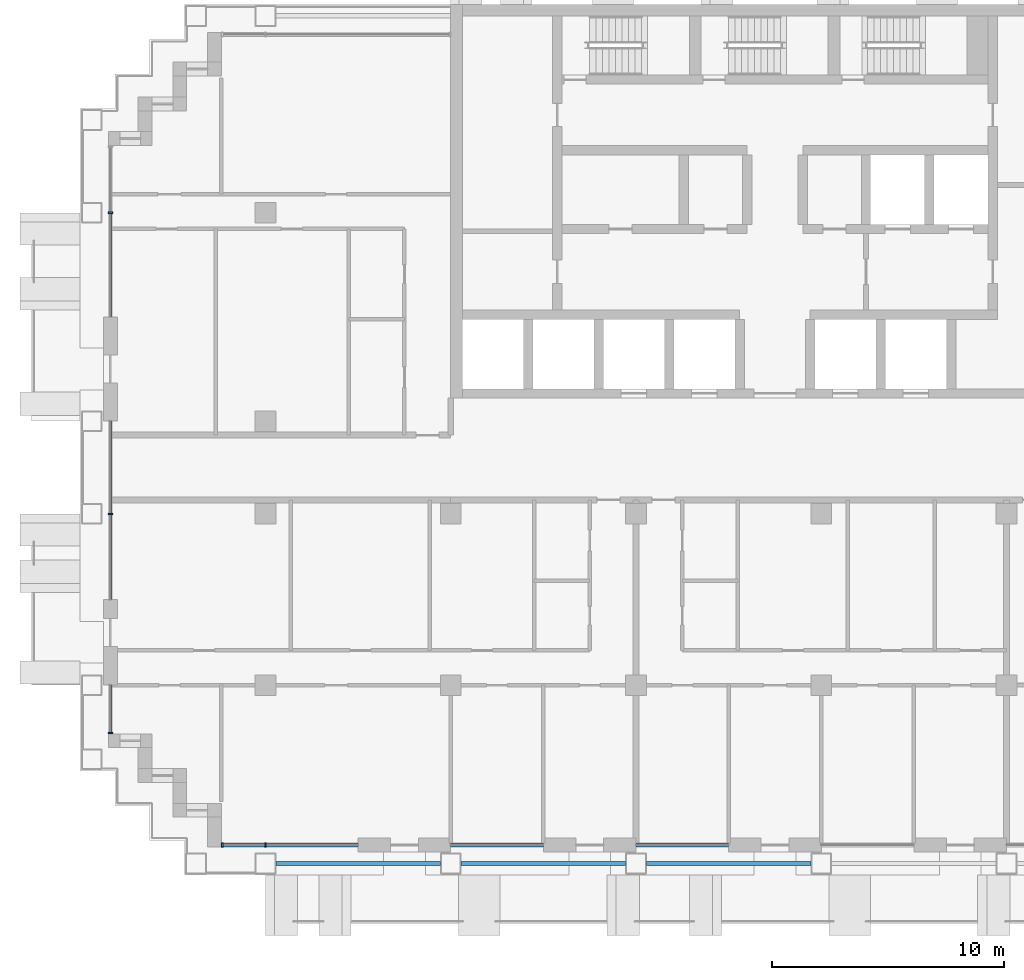
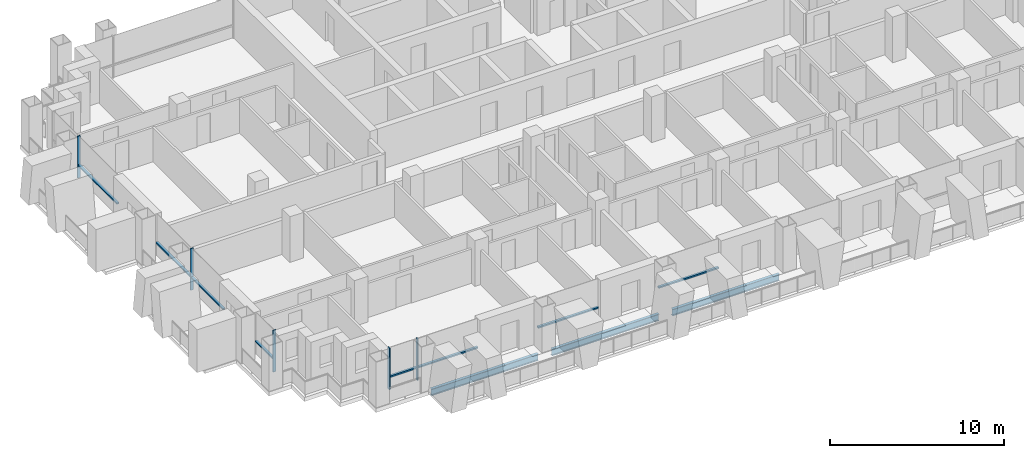
# One storey, part 2 of 17: 13 members, 3 beams, 6 elements without a shape of their own.
"""IFC4 building model written with IfcOpenShell, lengths in metres."""

from ifc_helpers import new_model, si_unit, direction, frame, origin, origin_2d, place, context, subcontext, project, spatial, rectangle, i_section, extrude, material, material_profile, profile_set, type_object, element, aggregate, save


model = new_model("IFC4")

# Units and contexts
model_context = context("Model", 3, precision=1e-05, world=origin(), true_north=direction((0.0, 1.0)))
body_context = subcontext(model_context, "Body", "Model", "MODEL_VIEW")
ifc_project = project(units=[si_unit("LENGTHUNIT", "METRE"), si_unit("AREAUNIT", "SQUARE_METRE"), si_unit("VOLUMEUNIT", "CUBIC_METRE"), si_unit("PLANEANGLEUNIT", "RADIAN"), si_unit("MASSUNIT", "GRAM", prefix="KILO")], contexts=[model_context])

# Site, building, storey
site_placement = place(None, origin())
site = spatial("IfcSite", under=ifc_project, at=site_placement, CompositionType="ELEMENT")
building_placement = place(site_placement, origin())
building = spatial("IfcBuilding", under=site, at=building_placement, Name="Vidyagriha Tower", CompositionType="ELEMENT")
storey_placement = place(building_placement, frame((0.0, 0.0, 77.5)))
storey = spatial("IfcBuildingStorey", under=building, at=storey_placement, Name="L19", CompositionType="ELEMENT", Elevation=77.5)

# Beams
ifc_material_1 = material(Name="Steel ASTM A992 Grade 50", Category="steel")
ifc_material_profile_1 = material_profile(ifc_material_1, i_section(OverallWidth=0.19189453125, OverallDepth=0.46240234375, WebThickness=0.010498046875, FlangeThickness=0.017578125, at=origin_2d()), Name="W18X60")
ifc_profile_set_1 = profile_set([ifc_material_profile_1], Name="Steel ASTM A992 Grade 50")
beam_type = type_object("IfcBeamType", Name="Edge beam W18X60", PredefinedType="SPANDREL", material=ifc_profile_set_1)
for number, where, z_axis, x_axis, name in (
    (1, (-21.550048828125, -17.10009765625, -0.51123046875), (1.0, 0.0, 0.0), (0.0, 1.0, 0.0), "st-beam-L19-S01"),
    (2, (-13.550048828125, -17.10009765625, -0.51123046875), (1.0, 0.0, 0.0), (0.0, 1.0, 0.0), "st-beam-L19-S02"),
    (3, (-5.550048828125, -17.10009765625, -0.51123046875), (1.0, 0.0, 0.0), (0.0, 1.0, 0.0), "st-beam-L19-S03"),
):
    element("IfcBeam", number, at=place(storey_placement, frame(where, z_axis=z_axis, x_axis=x_axis)), inside=storey, type_object=beam_type, Name=name, PredefinedType="SPANDREL", context=body_context, shape_type="SweptSolid", body=[
        extrude(i_section(OverallWidth=0.19189453125, OverallDepth=0.46240234375, WebThickness=0.010498046875, FlangeThickness=0.017578125, at=origin_2d()), origin(), (0.0, 0.0, 1.0), 7.10009765625),
    ])

# Curtain wall, member
ifc_material_2 = material(Name="Aluminium and glass curtain wall", Category="aluminium")
curtain_wall_type = type_object("IfcCurtainWallType", Name="Dwelling skin unitised curtain wall", PredefinedType="USERDEFINED", material=ifc_material_2)
curtain_wall_1_placement = place(storey_placement, origin())
curtain_wall_1 = element("IfcCurtainWall", 4, at=curtain_wall_1_placement, inside=storey, type_object=curtain_wall_type, Name="CW1 dwelling skin", ObjectType="UNITISED", PredefinedType="USERDEFINED")
ifc_material_3 = material(Name="Aluminium black anodised", Category="aluminium")
ifc_material_profile_2 = material_profile(ifc_material_3, rectangle(XDim=0.199951171875, YDim=0.070068359375, at=origin_2d()), Name="Mullion 70x200 black aluminium")
ifc_profile_set_2 = profile_set([ifc_material_profile_2], Name="Aluminium black anodised")
member_type_1 = type_object("IfcMemberType", Name="Mullion 70x200 black aluminium", PredefinedType="MULLION", material=ifc_profile_set_2)
member_1_placement = place(storey_placement, frame((-28.699951171875, 11.0, 0.0)))
member_1 = element("IfcMember", 5, at=member_1_placement, type_object=member_type_1, Name="CW1 mullion 2", PredefinedType="MULLION", context=body_context, shape_type="SweptSolid", body=[
    extrude(rectangle(XDim=0.199951171875, YDim=0.070068359375, at=origin_2d()), origin(), (0.0, 0.0, 1.0), 2.919921875),
])

curtain_wall_2_placement = place(storey_placement, origin())
curtain_wall_2 = element("IfcCurtainWall", 6, at=curtain_wall_2_placement, inside=storey, type_object=curtain_wall_type, Name="CW1 dwelling skin", ObjectType="UNITISED", PredefinedType="USERDEFINED")
member_2_placement = place(storey_placement, frame((-28.699951171875, -2.0, 0.0)))
member_2 = element("IfcMember", 7, at=member_2_placement, type_object=member_type_1, Name="CW1 mullion 2", PredefinedType="MULLION", context=body_context, shape_type="SweptSolid", body=[
    extrude(rectangle(XDim=0.199951171875, YDim=0.070068359375, at=origin_2d()), origin(), (0.0, 0.0, 1.0), 2.919921875),
])

curtain_wall_3_placement = place(storey_placement, origin())
curtain_wall_3 = element("IfcCurtainWall", 8, at=curtain_wall_3_placement, inside=storey, type_object=curtain_wall_type, Name="CW1 dwelling skin", ObjectType="UNITISED", PredefinedType="USERDEFINED")
member_3_placement = place(storey_placement, frame((-28.699951171875, -11.465087890625, 0.0)))
member_3 = element("IfcMember", 9, at=member_3_placement, type_object=member_type_1, Name="CW1 mullion 2", PredefinedType="MULLION", context=body_context, shape_type="SweptSolid", body=[
    extrude(rectangle(XDim=0.199951171875, YDim=0.070068359375, at=origin_2d()), origin(), (0.0, 0.0, 1.0), 2.919921875),
])

# Curtain wall, members
curtain_wall_4_placement = place(storey_placement, origin())
curtain_wall_4 = element("IfcCurtainWall", 10, at=curtain_wall_4_placement, inside=storey, type_object=curtain_wall_type, Name="CW1 dwelling skin", ObjectType="UNITISED", PredefinedType="USERDEFINED")
member_4_placement = place(storey_placement, frame((-23.864990234375, -16.300048828125, 0.0), z_axis=(0.0, 0.0, 1.0), x_axis=(0.0, 1.0, 0.0)))
member_4 = element("IfcMember", 11, at=member_4_placement, type_object=member_type_1, Name="CW1 mullion 1", PredefinedType="MULLION", context=body_context, shape_type="SweptSolid", body=[
    extrude(rectangle(XDim=0.199951171875, YDim=0.070068359375, at=origin_2d()), origin(), (0.0, 0.0, 1.0), 2.919921875),
])
member_5_placement = place(storey_placement, frame((-22.0, -16.300048828125, 0.0), z_axis=(0.0, 0.0, 1.0), x_axis=(0.0, 1.0, 0.0)))
member_5 = element("IfcMember", 12, at=member_5_placement, type_object=member_type_1, Name="CW1 mullion 2", PredefinedType="MULLION", context=body_context, shape_type="SweptSolid", body=[
    extrude(rectangle(XDim=0.199951171875, YDim=0.070068359375, at=origin_2d()), origin(), (0.0, 0.0, 1.0), 2.919921875),
])

# Member
ifc_material_4 = material(Name="Aluminium black anodised", Category="aluminium")
ifc_material_profile_3 = material_profile(ifc_material_4, rectangle(XDim=0.159912109375, YDim=0.10009765625, at=origin_2d()), Name="Transom 100x160 black aluminium")
ifc_profile_set_3 = profile_set([ifc_material_profile_3], Name="Aluminium black anodised")
member_type_2 = type_object("IfcMemberType", Name="Transom 100x160 black aluminium", PredefinedType="USERDEFINED", material=ifc_profile_set_3)
member_6_placement = place(storey_placement, frame((-28.699951171875, 10.965087890625, 0.89990234375), z_axis=(0.0, -1.0, 0.0), x_axis=(1.0, 0.0, 0.0)))
member_6 = element("IfcMember", 13, at=member_6_placement, type_object=member_type_2, Name="CW1 transom 2.1", ObjectType="TRANSOM", PredefinedType="USERDEFINED", context=body_context, shape_type="SweptSolid", body=[
    extrude(rectangle(XDim=0.159912109375, YDim=0.10009765625, at=origin_2d()), origin(), (0.0, 0.0, 1.0), 4.465087890625),
])

aggregate(curtain_wall_1, [member_1, member_6])

member_7_placement = place(storey_placement, frame((-28.699951171875, 2.0, 0.89990234375), z_axis=(0.0, -1.0, 0.0), x_axis=(1.0, 0.0, 0.0)))
member_7 = element("IfcMember", 14, at=member_7_placement, type_object=member_type_2, Name="CW1 transom 1.1", ObjectType="TRANSOM", PredefinedType="USERDEFINED", context=body_context, shape_type="SweptSolid", body=[
    extrude(rectangle(XDim=0.159912109375, YDim=0.10009765625, at=origin_2d()), origin(), (0.0, 0.0, 1.0), 3.965087890625),
])

member_8_placement = place(storey_placement, frame((-28.699951171875, -2.034912109375, 0.89990234375), z_axis=(0.0, -1.0, 0.0), x_axis=(1.0, 0.0, 0.0)))
member_8 = element("IfcMember", 15, at=member_8_placement, type_object=member_type_2, Name="CW1 transom 2.1", ObjectType="TRANSOM", PredefinedType="USERDEFINED", context=body_context, shape_type="SweptSolid", body=[
    extrude(rectangle(XDim=0.159912109375, YDim=0.10009765625, at=origin_2d()), origin(), (0.0, 0.0, 1.0), 3.6650390625),
])

aggregate(curtain_wall_2, [member_2, member_7, member_8])

member_9_placement = place(storey_placement, frame((-28.699951171875, -9.39990234375, 0.89990234375), z_axis=(0.0, -1.0, 0.0), x_axis=(1.0, 0.0, 0.0)))
member_9 = element("IfcMember", 16, at=member_9_placement, type_object=member_type_2, Name="CW1 transom 1.1", ObjectType="TRANSOM", PredefinedType="USERDEFINED", context=body_context, shape_type="SweptSolid", body=[
    extrude(rectangle(XDim=0.159912109375, YDim=0.10009765625, at=origin_2d()), origin(), (0.0, 0.0, 1.0), 2.030029296875),
])

aggregate(curtain_wall_3, [member_3, member_9])

member_10_placement = place(storey_placement, frame((-23.830078125, -16.300048828125, 0.89990234375), z_axis=(1.0, 0.0, 0.0), x_axis=(0.0, 1.0, 0.0)))
member_10 = element("IfcMember", 17, at=member_10_placement, type_object=member_type_2, Name="CW1 transom 1.1", ObjectType="TRANSOM", PredefinedType="USERDEFINED", context=body_context, shape_type="SweptSolid", body=[
    extrude(rectangle(XDim=0.159912109375, YDim=0.10009765625, at=origin_2d()), origin(), (0.0, 0.0, 1.0), 1.795166015625),
])

member_11_placement = place(storey_placement, frame((-21.965087890625, -16.300048828125, 0.89990234375), z_axis=(1.0, 0.0, 0.0), x_axis=(0.0, 1.0, 0.0)))
member_11 = element("IfcMember", 18, at=member_11_placement, type_object=member_type_2, Name="CW1 transom 2.1", ObjectType="TRANSOM", PredefinedType="USERDEFINED", context=body_context, shape_type="SweptSolid", body=[
    extrude(rectangle(XDim=0.159912109375, YDim=0.10009765625, at=origin_2d()), origin(), (0.0, 0.0, 1.0), 3.965087890625),
])

aggregate(curtain_wall_4, [member_4, member_5, member_10, member_11])

# Curtain wall, member
curtain_wall_5_placement = place(storey_placement, origin())
curtain_wall_5 = element("IfcCurtainWall", 19, at=curtain_wall_5_placement, inside=storey, type_object=curtain_wall_type, Name="CW1 dwelling skin", ObjectType="UNITISED", PredefinedType="USERDEFINED")
member_12_placement = place(storey_placement, frame((-14.0, -16.300048828125, 0.89990234375), z_axis=(1.0, 0.0, 0.0), x_axis=(0.0, 1.0, 0.0)))
member_12 = element("IfcMember", 20, at=member_12_placement, type_object=member_type_2, Name="CW1 transom 1.1", ObjectType="TRANSOM", PredefinedType="USERDEFINED", context=body_context, shape_type="SweptSolid", body=[
    extrude(rectangle(XDim=0.159912109375, YDim=0.10009765625, at=origin_2d()), origin(), (0.0, 0.0, 1.0), 4.0),
])
aggregate(curtain_wall_5, [member_12])

curtain_wall_6_placement = place(storey_placement, origin())
curtain_wall_6 = element("IfcCurtainWall", 21, at=curtain_wall_6_placement, inside=storey, type_object=curtain_wall_type, Name="CW1 dwelling skin", ObjectType="UNITISED", PredefinedType="USERDEFINED")
member_13_placement = place(storey_placement, frame((-6.0, -16.300048828125, 0.89990234375), z_axis=(1.0, 0.0, 0.0), x_axis=(0.0, 1.0, 0.0)))
member_13 = element("IfcMember", 22, at=member_13_placement, type_object=member_type_2, Name="CW1 transom 1.1", ObjectType="TRANSOM", PredefinedType="USERDEFINED", context=body_context, shape_type="SweptSolid", body=[
    extrude(rectangle(XDim=0.159912109375, YDim=0.10009765625, at=origin_2d()), origin(), (0.0, 0.0, 1.0), 4.0),
])
aggregate(curtain_wall_6, [member_13])

save(model, "model.ifc")
